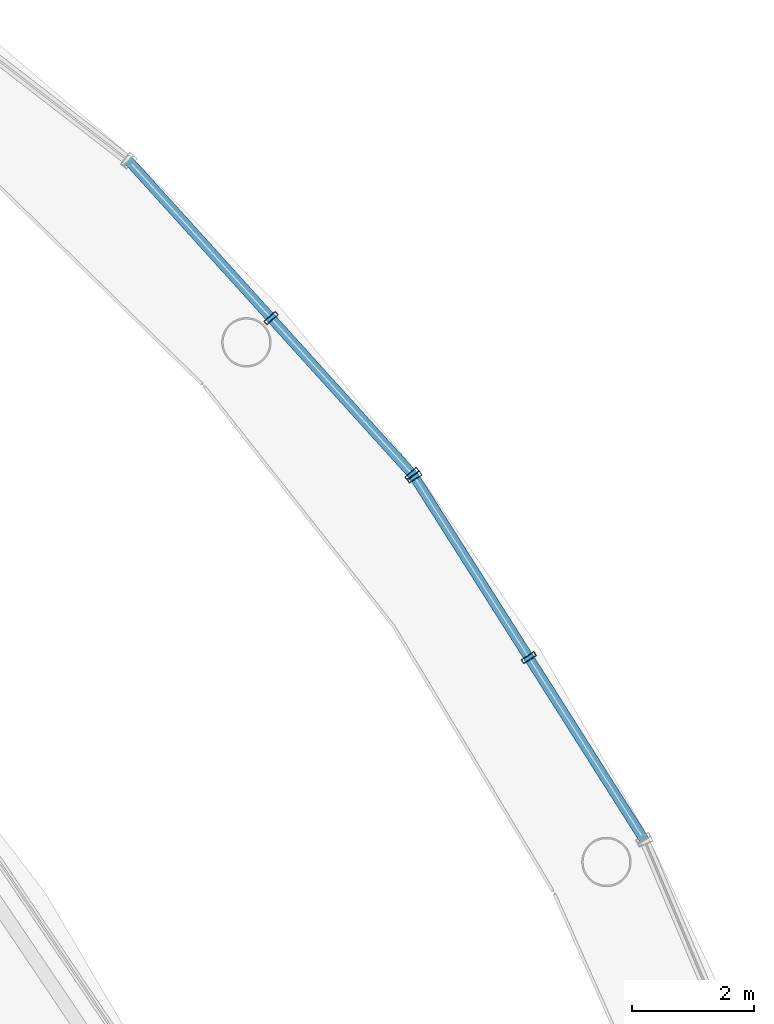
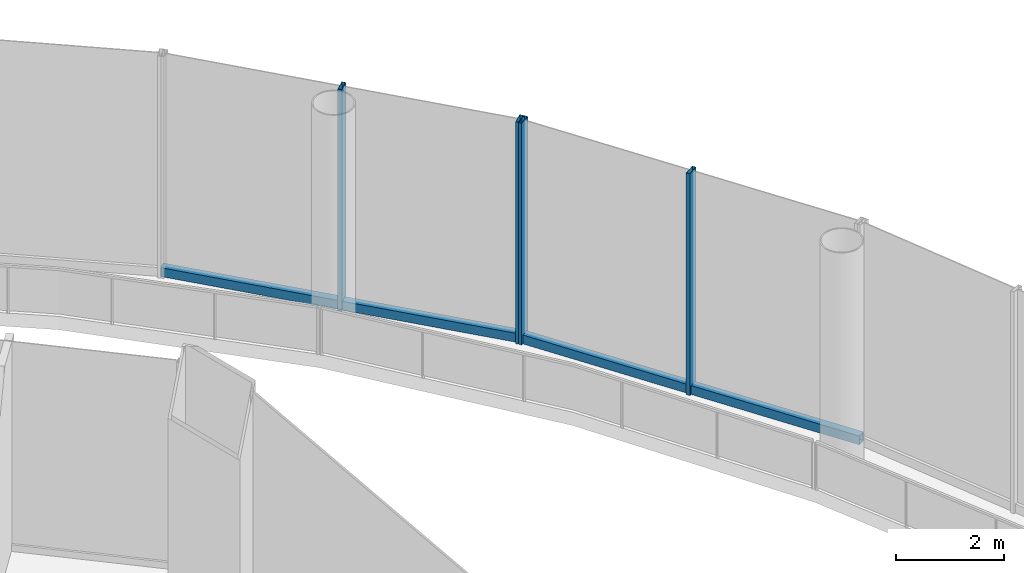
# One storey, part 38 of 47: 6 members, 2 elements without a shape of their own.
"""IFC4 building model written with IfcOpenShell, lengths in metres."""

from ifc_helpers import new_model, si_unit, direction, frame, origin, origin_2d, place, context, subcontext, project, spatial, hollow_rectangle, extrude, material, layer, layer_set, material_profile, profile_set, type_object, element, aggregate, save


model = new_model("IFC4")

# Units and contexts
model_context = context("Model", 3, precision=1e-05, world=origin(), true_north=direction((0.0, 1.0)))
body_context = subcontext(model_context, "Body", "Model", "MODEL_VIEW")
ifc_project = project(units=[si_unit("LENGTHUNIT", "METRE"), si_unit("AREAUNIT", "SQUARE_METRE"), si_unit("VOLUMEUNIT", "CUBIC_METRE"), si_unit("PLANEANGLEUNIT", "RADIAN"), si_unit("MASSUNIT", "GRAM", prefix="KILO")], contexts=[model_context])

# Site, building, storey
site_placement = place(None, origin())
site = spatial("IfcSite", under=ifc_project, at=site_placement, CompositionType="ELEMENT")
building_placement = place(site_placement, origin())
building = spatial("IfcBuilding", under=site, at=building_placement, Name="Nagisa Residences", CompositionType="ELEMENT")
storey_placement = place(building_placement, frame((0.0, 0.0, 17.0)))
storey = spatial("IfcBuildingStorey", under=building, at=storey_placement, Name="L03", CompositionType="ELEMENT", Elevation=17.0)

# Curtain wall, members
ifc_material_1 = material(Name="Stainless steel curtain wall system", Category="steel")
ifc_layer = layer(ifc_material_1, 0.159912109375)
ifc_layer_set = layer_set([ifc_layer], Name="CW3 CURTAIN WALL")
curtain_wall_type = type_object("IfcCurtainWallType", Name="CW3 CURTAIN WALL", PredefinedType="NOTDEFINED", material=ifc_layer_set)
curtain_wall_1_placement = place(storey_placement, origin())
curtain_wall_1 = element("IfcCurtainWall", 1, at=curtain_wall_1_placement, inside=storey, type_object=curtain_wall_type, Name="cw:CW3:L03:03", PredefinedType="NOTDEFINED")
ifc_material_2 = material(Name="Stainless steel", Category="steel")
ifc_material_profile_1 = material_profile(ifc_material_2, hollow_rectangle(XDim=0.25, YDim=0.080078125, WallThickness=0.008056640625, at=origin_2d()), Name="CW3 MULLION 250x80")
ifc_profile_set_1 = profile_set([ifc_material_profile_1], Name="Stainless steel")
member_type_1 = type_object("IfcMemberType", Name="CW3 MULLION 250x80", PredefinedType="MULLION", material=ifc_profile_set_1)
member_1_placement = place(storey_placement, frame((34.541748046875, 23.955810546875, 0.0), z_axis=(0.0, 0.0, 1.0), x_axis=(-0.844747368001, -0.535165286856, 0.0)))
member_1 = element("IfcMember", 2, at=member_1_placement, type_object=member_type_1, Name="CW3 mullion", PredefinedType="MULLION", context=body_context, shape_type="SweptSolid", body=[
    extrude(hollow_rectangle(XDim=0.25, YDim=0.080078125, WallThickness=0.008056640625, at=origin_2d()), origin(), (0.0, 0.0, 1.0), 5.0),
])
member_2_placement = place(storey_placement, frame((32.66357421875, 26.92041015625, 0.0), z_axis=(0.0, 0.0, 1.0), x_axis=(-0.844747368001, -0.535165286856, 0.0)))
member_2 = element("IfcMember", 3, at=member_2_placement, type_object=member_type_1, Name="CW3 mullion", PredefinedType="MULLION", context=body_context, shape_type="SweptSolid", body=[
    extrude(hollow_rectangle(XDim=0.25, YDim=0.080078125, WallThickness=0.008056640625, at=origin_2d()), origin(), (0.0, 0.0, 1.0), 5.0),
])

curtain_wall_2_placement = place(storey_placement, origin())
curtain_wall_2 = element("IfcCurtainWall", 4, at=curtain_wall_2_placement, inside=storey, type_object=curtain_wall_type, Name="cw:CW3:L03:04", PredefinedType="NOTDEFINED")
member_3_placement = place(storey_placement, frame((32.62353515625, 26.97314453125, 0.0), z_axis=(0.0, 0.0, 1.0), x_axis=(-0.741535779122, -0.670913323971, 0.0)))
member_3 = element("IfcMember", 5, at=member_3_placement, type_object=member_type_1, Name="CW3 mullion", PredefinedType="MULLION", context=body_context, shape_type="SweptSolid", body=[
    extrude(hollow_rectangle(XDim=0.25, YDim=0.080078125, WallThickness=0.008056640625, at=origin_2d()), origin(), (0.0, 0.0, 1.0), 5.0),
])
member_4_placement = place(storey_placement, frame((30.30859375, 29.53173828125, 0.0), z_axis=(0.0, 0.0, 1.0), x_axis=(-0.741535779122, -0.670913323971, 0.0)))
member_4 = element("IfcMember", 6, at=member_4_placement, type_object=member_type_1, Name="CW3 mullion", PredefinedType="MULLION", context=body_context, shape_type="SweptSolid", body=[
    extrude(hollow_rectangle(XDim=0.25, YDim=0.080078125, WallThickness=0.008056640625, at=origin_2d()), origin(), (0.0, 0.0, 1.0), 5.0),
])

# Member
ifc_material_3 = material(Name="Stainless steel", Category="steel")
ifc_material_profile_2 = material_profile(ifc_material_3, hollow_rectangle(XDim=0.159912109375, YDim=0.199951171875, WallThickness=0.008056640625, at=origin_2d()), Name="CW3 TRANSOM 160x200")
ifc_profile_set_2 = profile_set([ifc_material_profile_2], Name="Stainless steel")
member_type_2 = type_object("IfcMemberType", Name="CW3 TRANSOM 160x200", PredefinedType="USERDEFINED", material=ifc_profile_set_2)
member_5_placement = place(storey_placement, frame((36.44140625, 20.957275390625, 0.10009765625), z_axis=(-0.535169889444, 0.844744452147, 0.0), x_axis=(-0.844744452147, -0.535169889444, 0.0)))
member_5 = element("IfcMember", 7, at=member_5_placement, type_object=member_type_2, Name="CW3 transom", ObjectType="TRANSOM", PredefinedType="USERDEFINED", context=body_context, shape_type="SweptSolid", body=[
    extrude(hollow_rectangle(XDim=0.159912109375, YDim=0.199951171875, WallThickness=0.008056640625, at=origin_2d()), origin(), (0.0, 0.0, 1.0), 7.099365234375),
])

aggregate(curtain_wall_1, [member_1, member_2, member_5])

member_6_placement = place(storey_placement, frame((32.650390625, 26.943359375, 0.10009765625), z_axis=(-0.670921565259, 0.741528322635, 0.0), x_axis=(-0.741528322635, -0.670921565259, 0.0)))
member_6 = element("IfcMember", 8, at=member_6_placement, type_object=member_type_2, Name="CW3 transom", ObjectType="TRANSOM", PredefinedType="USERDEFINED", context=body_context, shape_type="SweptSolid", body=[
    extrude(hollow_rectangle(XDim=0.159912109375, YDim=0.199951171875, WallThickness=0.008056640625, at=origin_2d()), origin(), (0.0, 0.0, 1.0), 6.981201171875),
])

aggregate(curtain_wall_2, [member_3, member_4, member_6])

save(model, "model.ifc")
